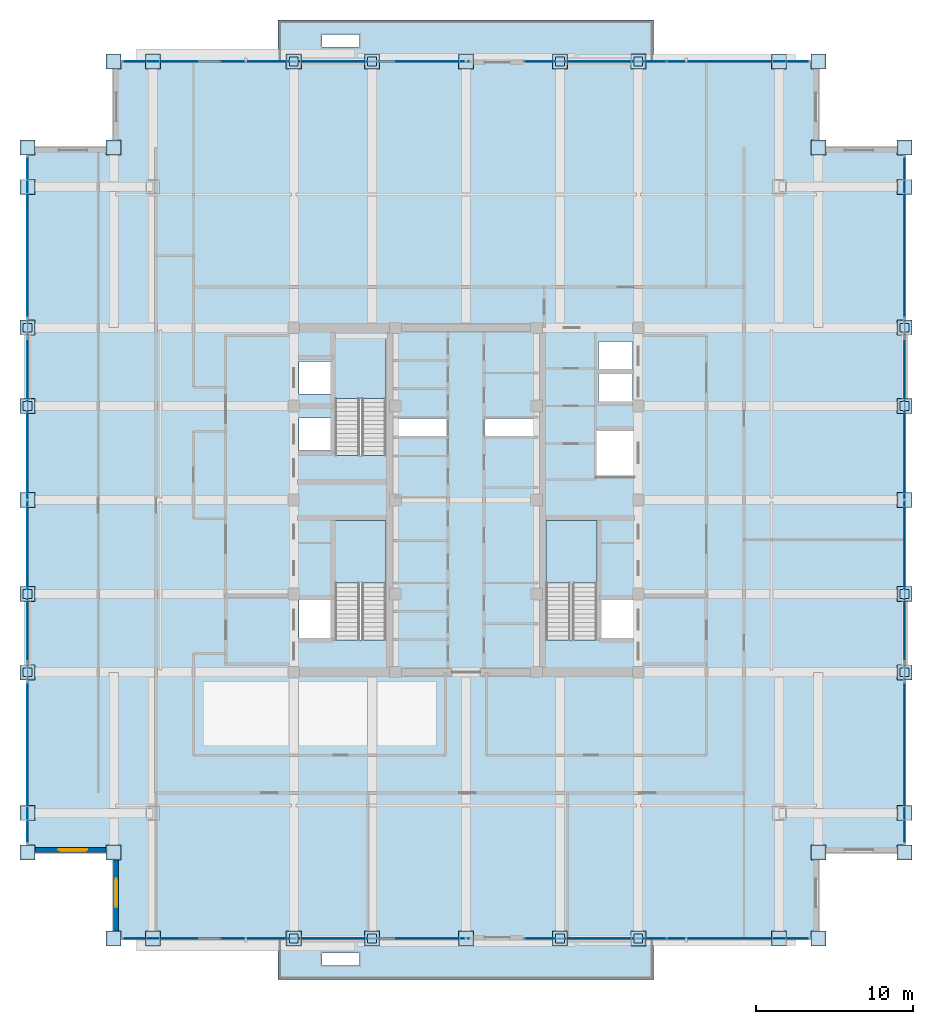
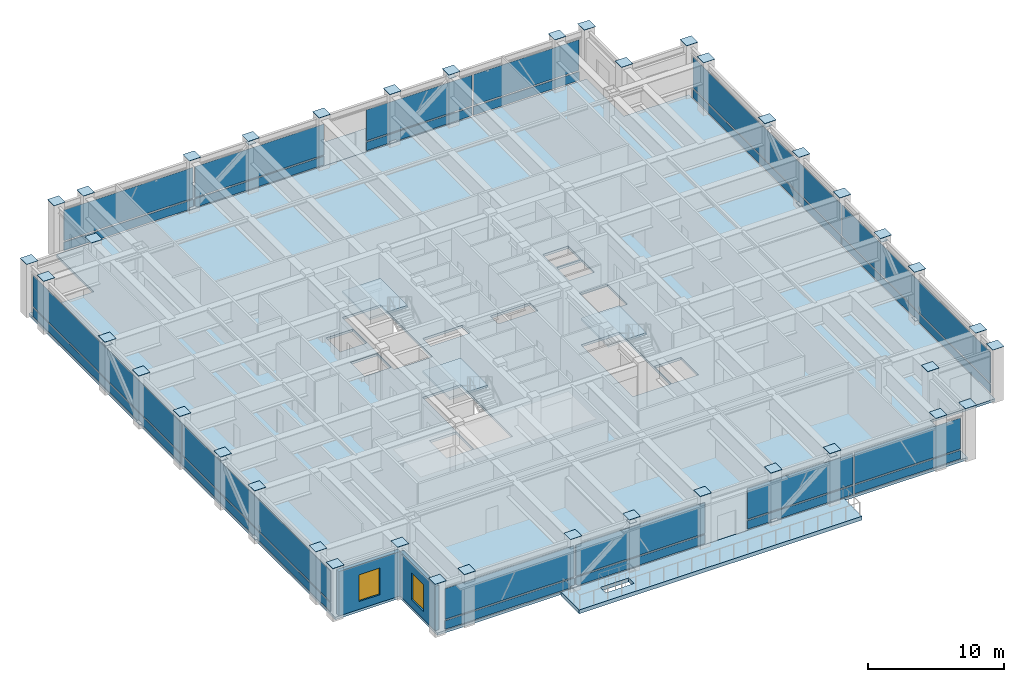
# One storey, part 21 of 31: 80 plates, 6 slabs, 2 walls, 2 windows, 2 openings, 9 elements without a shape of their own.
"""IFC4 building model written with IfcOpenShell, lengths in metres."""

from ifc_helpers import new_model, si_unit, direction, frame, frame_2d, origin, origin_2d, place, context, subcontext, project, spatial, polyline, rectangle, outline, extrude, source, transform, mapped, material, layer, layer_set, type_object, element, fill, aggregate, save


model = new_model("IFC4")

# Units and contexts
model_context = context("Model", 3, precision=1e-05, world=origin(), true_north=direction((0.0, 1.0)))
body_context = subcontext(model_context, "Body", "Model", "MODEL_VIEW")
ifc_project = project(units=[si_unit("LENGTHUNIT", "METRE"), si_unit("AREAUNIT", "SQUARE_METRE"), si_unit("VOLUMEUNIT", "CUBIC_METRE"), si_unit("PLANEANGLEUNIT", "RADIAN"), si_unit("MASSUNIT", "GRAM", prefix="KILO")], contexts=[model_context])

# Site, building, storey
site_placement = place(None, origin())
site = spatial("IfcSite", under=ifc_project, at=site_placement, CompositionType="ELEMENT")
building_placement = place(site_placement, origin())
building = spatial("IfcBuilding", under=site, at=building_placement, Name="Khorayat Bourse Tower", CompositionType="ELEMENT")
storey_placement = place(building_placement, frame((0.0, 0.0, 321.5)))
storey = spatial("IfcBuildingStorey", under=building, at=storey_placement, Name="L76", CompositionType="ELEMENT", Elevation=321.5)

# Stair, slab
ifc_material_1 = material(Name="Concrete C40/50", Category="concrete")
stair_type = type_object("IfcStairType", Name="STR-CORE-1550", PredefinedType="HALF_TURN_STAIR", material=ifc_material_1)
stair_1_placement = place(storey_placement, origin())
stair_1 = element("IfcStair", 1, at=stair_1_placement, inside=storey, type_object=stair_type, Name="L76 Exit Stair ST-1", PredefinedType="HALF_TURN_STAIR")
ifc_layer_1 = layer(ifc_material_1, 0.199951171875)
ifc_layer_set_1 = layer_set([ifc_layer_1], Name="Concrete C40/50")
slab_type_1 = type_object("IfcSlabType", Name="SLB-LANDING-200", PredefinedType="LANDING", material=ifc_layer_set_1)
slab_1_placement = place(storey_placement, frame((0.0, 0.0, 2.199951171875)))
slab_1 = element("IfcSlab", 2, at=slab_1_placement, type_object=slab_type_1, Name="ST-1 landing 1", PredefinedType="LANDING", context=body_context, shape_type="SweptSolid", body=[
    extrude(outline(polyline([(-5.10009765625, -5.31005859375), (-5.10009765625, -1.300048828125), (-8.35009765625, -1.300048828125), (-8.35009765625, -5.31005859375), (-5.10009765625, -5.31005859375)])), origin(), (0.0, 0.0, 1.0), 0.199951171875),
])
aggregate(stair_1, [slab_1])

stair_2_placement = place(storey_placement, origin())
stair_2 = element("IfcStair", 3, at=stair_2_placement, inside=storey, type_object=stair_type, Name="L76 Exit Stair ST-2", PredefinedType="HALF_TURN_STAIR")
slab_2_placement = place(storey_placement, frame((0.0, 0.0, 2.199951171875)))
slab_2 = element("IfcSlab", 4, at=slab_2_placement, type_object=slab_type_1, Name="ST-2 landing 1", PredefinedType="LANDING", context=body_context, shape_type="SweptSolid", body=[
    extrude(outline(polyline([(-5.10009765625, 6.489990234375), (-5.10009765625, 10.5), (-8.35009765625, 10.5), (-8.35009765625, 6.489990234375), (-5.10009765625, 6.489990234375)])), origin(), (0.0, 0.0, 1.0), 0.199951171875),
])
aggregate(stair_2, [slab_2])

stair_3_placement = place(storey_placement, origin())
stair_3 = element("IfcStair", 5, at=stair_3_placement, inside=storey, type_object=stair_type, Name="L76 Exit Stair ST-3", PredefinedType="HALF_TURN_STAIR")
slab_3_placement = place(storey_placement, frame((0.0, 0.0, 2.199951171875)))
slab_3 = element("IfcSlab", 6, at=slab_3_placement, type_object=slab_type_1, Name="ST-3 landing 1", PredefinedType="LANDING", context=body_context, shape_type="SweptSolid", body=[
    extrude(outline(polyline([(8.35009765625, -5.31005859375), (8.35009765625, -1.300048828125), (5.10009765625, -1.300048828125), (5.10009765625, -5.31005859375), (8.35009765625, -5.31005859375)])), origin(), (0.0, 0.0, 1.0), 0.199951171875),
])
aggregate(stair_3, [slab_3])

# Slabs
ifc_layer_2 = layer(ifc_material_1, 0.219970703125)
ifc_layer_set_2 = layer_set([ifc_layer_2], Name="Concrete C40/50")
slab_type_2 = type_object("IfcSlabType", Name="SLB-OFFICE-220", PredefinedType="FLOOR", material=ifc_layer_set_2)
slab_4_placement = place(storey_placement, frame((0.0, 0.0, -0.219970703125)))
element("IfcSlab", 7, at=slab_4_placement, inside=storey, type_object=slab_type_2, Name="L76 Main Floor Slab", PredefinedType="FLOOR", context=body_context, shape_type="SweptSolid", body=[
    extrude(outline(polyline([(-22.5, -28.0), (22.5, -28.0), (22.5, -22.5), (28.0, -22.5), (28.0, 22.5), (22.5, 22.5), (22.5, 28.0), (-22.5, 28.0), (-22.5, 22.5), (-28.0, 22.5), (-28.0, -22.5), (-22.5, -22.5), (-22.5, -28.0)]), holes=[polyline([(-8.35009765625, -8.945068359375), (-5.10009765625, -8.945068359375), (-5.10009765625, -1.300048828125), (-8.35009765625, -1.300048828125), (-8.35009765625, -8.945068359375)]), polyline([(-8.35009765625, 2.85498046875), (-5.10009765625, 2.85498046875), (-5.10009765625, 10.5), (-8.35009765625, 10.5), (-8.35009765625, 2.85498046875)]), polyline([(5.10009765625, -8.945068359375), (8.35009765625, -8.945068359375), (8.35009765625, -1.300048828125), (5.10009765625, -1.300048828125), (5.10009765625, -8.945068359375)]), polyline([(-10.679931640625, 3.169921875), (-8.419921875, 3.169921875), (-8.419921875, 5.22998046875), (-10.679931640625, 5.22998046875), (-10.679931640625, 3.169921875)]), polyline([(-10.679931640625, 6.77001953125), (-8.419921875, 6.77001953125), (-8.419921875, 8.830078125), (-10.679931640625, 8.830078125), (-10.679931640625, 6.77001953125)]), polyline([(8.469970703125, 6.27001953125), (10.6298828125, 6.27001953125), (10.6298828125, 8.1298828125), (8.469970703125, 8.1298828125), (8.469970703125, 6.27001953125)]), polyline([(8.469970703125, 8.27001953125), (10.6298828125, 8.27001953125), (10.6298828125, 10.1298828125), (8.469970703125, 10.1298828125), (8.469970703125, 8.27001953125)]), polyline([(-10.679931640625, -8.929931640625), (-8.419921875, -8.929931640625), (-8.419921875, -6.3701171875), (-10.679931640625, -6.3701171875), (-10.679931640625, -8.929931640625)]), polyline([(8.419921875, -8.929931640625), (10.679931640625, -8.929931640625), (10.679931640625, -6.3701171875), (8.419921875, -6.3701171875), (8.419921875, -8.929931640625)]), polyline([(8.320068359375, 1.52001953125), (10.679931640625, 1.52001953125), (10.679931640625, 4.47998046875), (8.320068359375, 4.47998046875), (8.320068359375, 1.52001953125)]), polyline([(-4.56005859375, 4.080078125), (-1.18994140625, 4.080078125), (-1.18994140625, 5.219970703125), (-4.56005859375, 5.219970703125), (-4.56005859375, 4.080078125)]), polyline([(1.18994140625, 4.080078125), (4.56005859375, 4.080078125), (4.56005859375, 5.219970703125), (1.18994140625, 5.219970703125), (1.18994140625, 4.080078125)])]), origin(), (0.0, 0.0, 1.0), 0.219970703125),
])
ifc_layer_3 = layer(ifc_material_1, 0.340087890625)
ifc_layer_set_3 = layer_set([ifc_layer_3], Name="Concrete C40/50")
slab_type_3 = type_object("IfcSlabType", Name="SLB-SKYGARDEN-340", PredefinedType="FLOOR", material=ifc_layer_set_3)
slab_5_placement = place(storey_placement, frame((0.0, 0.0, -0.340087890625)))
element("IfcSlab", 8, at=slab_5_placement, inside=storey, type_object=slab_type_3, Name="L76 Planted Garden Terrace Slab 01", PredefinedType="FLOOR", context=body_context, shape_type="SweptSolid", body=[
    extrude(outline(polyline([(-12.0, 28.0), (12.0, 28.0), (12.0, 30.64990234375), (-12.0, 30.64990234375), (-12.0, 28.0)]), holes=[polyline([(-9.199951171875, 28.925048828125), (-6.800048828125, 28.925048828125), (-6.800048828125, 29.72509765625), (-9.199951171875, 29.72509765625), (-9.199951171875, 28.925048828125)])]), origin(), (0.0, 0.0, 1.0), 0.340087890625),
])
slab_6_placement = place(storey_placement, frame((0.0, 0.0, -0.340087890625)))
element("IfcSlab", 9, at=slab_6_placement, inside=storey, type_object=slab_type_3, Name="L76 Planted Garden Terrace Slab 02", PredefinedType="FLOOR", context=body_context, shape_type="SweptSolid", body=[
    extrude(outline(polyline([(-12.0, -30.64990234375), (12.0, -30.64990234375), (12.0, -28.0), (-12.0, -28.0), (-12.0, -30.64990234375)]), holes=[polyline([(-9.199951171875, -29.72509765625), (-6.800048828125, -29.72509765625), (-6.800048828125, -28.925048828125), (-9.199951171875, -28.925048828125), (-9.199951171875, -29.72509765625)])]), origin(), (0.0, 0.0, 1.0), 0.340087890625),
])

# Plates
ifc_material_2 = material(Name="Steel EN 10025-2 S355J2", Category="steel")
ifc_layer_4 = layer(ifc_material_2, 0.02490234375)
ifc_layer_set_4 = layer_set([ifc_layer_4], Name="Steel EN 10025-2 S355J2")
plate_type_1 = type_object("IfcPlateType", Name="PLT-ENDCAP-25", PredefinedType="SHEET", material=ifc_layer_set_4)
shared_shape_1 = source(origin(), body_context, "Body", "SweptSolid", [
    extrude(rectangle(XDim=0.56005859375, YDim=0.56005859375, at=origin_2d()), origin(), (0.0, 0.0, 1.0), 0.02490234375),
])
for number, where, z_axis, x_axis, name in (
    (10, (-11.0, -28.0, 0.237548828125), (0.0, 0.0, 1.0), (1.0, 0.0, 0.0), "L76 Perimeter Brace End Plate 001"),
    (11, (-6.0, -28.0, 4.277587890625), (0.0, 0.0, 1.0), (1.0, 0.0, 0.0), "L76 Perimeter Brace End Plate 002"),
    (12, (6.0, -28.0, 0.237548828125), (0.0, 0.0, 1.0), (1.0, 0.0, 0.0), "L76 Perimeter Brace End Plate 003"),
    (13, (11.0, -28.0, 4.277587890625), (0.0, 0.0, 1.0), (1.0, 0.0, 0.0), "L76 Perimeter Brace End Plate 004"),
    (14, (-11.0, 28.0, 0.237548828125), (0.0, 0.0, 1.0), (1.0, 0.0, 0.0), "L76 Perimeter Brace End Plate 005"),
    (15, (-6.0, 28.0, 4.277587890625), (0.0, 0.0, 1.0), (1.0, 0.0, 0.0), "L76 Perimeter Brace End Plate 006"),
    (16, (6.0, 28.0, 0.237548828125), (0.0, 0.0, 1.0), (1.0, 0.0, 0.0), "L76 Perimeter Brace End Plate 007"),
    (17, (11.0, 28.0, 4.277587890625), (0.0, 0.0, 1.0), (1.0, 0.0, 0.0), "L76 Perimeter Brace End Plate 008"),
    (18, (-28.0, -11.0, 0.237548828125), (0.0, 0.0, 1.0), (1.0, 0.0, 0.0), "L76 Perimeter Brace End Plate 009"),
    (19, (-28.0, -6.0, 4.277587890625), (0.0, 0.0, 1.0), (1.0, 0.0, 0.0), "L76 Perimeter Brace End Plate 010"),
    (20, (-28.0, 6.0, 0.237548828125), (0.0, 0.0, 1.0), (1.0, 0.0, 0.0), "L76 Perimeter Brace End Plate 011"),
    (21, (-28.0, 11.0, 4.277587890625), (0.0, 0.0, 1.0), (1.0, 0.0, 0.0), "L76 Perimeter Brace End Plate 012"),
    (22, (28.0, -11.0, 0.237548828125), (0.0, 0.0, 1.0), (1.0, 0.0, 0.0), "L76 Perimeter Brace End Plate 013"),
    (23, (28.0, -6.0, 4.277587890625), (0.0, 0.0, 1.0), (1.0, 0.0, 0.0), "L76 Perimeter Brace End Plate 014"),
    (24, (28.0, 6.0, 0.237548828125), (0.0, 0.0, 1.0), (1.0, 0.0, 0.0), "L76 Perimeter Brace End Plate 015"),
    (25, (28.0, 11.0, 4.277587890625), (0.0, 0.0, 1.0), (1.0, 0.0, 0.0), "L76 Perimeter Brace End Plate 016"),
):
    element("IfcPlate", number, at=place(storey_placement, frame(where, z_axis=z_axis, x_axis=x_axis)), inside=storey, type_object=plate_type_1, Name=name, PredefinedType="SHEET", context=body_context, shape_type="MappedRepresentation", body=[
        mapped(shared_shape_1, transform((0.0, 0.0, 0.0), scale=1.0)),
    ])
shared_shape_2 = source(origin(), body_context, "Body", "SweptSolid", [
    extrude(rectangle(XDim=0.9599609375, YDim=0.9599609375, at=origin_2d()), origin(), (0.0, 0.0, 1.0), 0.02490234375),
])
for number, where, z_axis, x_axis, name in (
    (26, (-28.0, -22.5, 4.800048828125), (0.0, 0.0, 1.0), (1.0, 0.0, 0.0), "L76 Column Top Endcap Plate 001"),
    (27, (-28.0, -20.0, 4.800048828125), (0.0, 0.0, 1.0), (1.0, 0.0, 0.0), "L76 Column Top Endcap Plate 002"),
    (28, (-28.0, -11.0, 4.800048828125), (0.0, 0.0, 1.0), (1.0, 0.0, 0.0), "L76 Column Top Endcap Plate 003"),
    (29, (-28.0, -6.0, 4.800048828125), (0.0, 0.0, 1.0), (1.0, 0.0, 0.0), "L76 Column Top Endcap Plate 004"),
    (30, (-28.0, 0.0, 4.800048828125), (0.0, 0.0, 1.0), (1.0, 0.0, 0.0), "L76 Column Top Endcap Plate 005"),
    (31, (-28.0, 6.0, 4.800048828125), (0.0, 0.0, 1.0), (1.0, 0.0, 0.0), "L76 Column Top Endcap Plate 006"),
    (32, (-28.0, 11.0, 4.800048828125), (0.0, 0.0, 1.0), (1.0, 0.0, 0.0), "L76 Column Top Endcap Plate 007"),
    (33, (-28.0, 20.0, 4.800048828125), (0.0, 0.0, 1.0), (1.0, 0.0, 0.0), "L76 Column Top Endcap Plate 008"),
    (34, (-28.0, 22.5, 4.800048828125), (0.0, 0.0, 1.0), (1.0, 0.0, 0.0), "L76 Column Top Endcap Plate 009"),
    (35, (-22.5, -28.0, 4.800048828125), (0.0, 0.0, 1.0), (1.0, 0.0, 0.0), "L76 Column Top Endcap Plate 010"),
    (36, (-22.5, -22.5, 4.800048828125), (0.0, 0.0, 1.0), (1.0, 0.0, 0.0), "L76 Column Top Endcap Plate 011"),
    (37, (-22.5, 22.5, 4.800048828125), (0.0, 0.0, 1.0), (1.0, 0.0, 0.0), "L76 Column Top Endcap Plate 012"),
    (38, (-22.5, 28.0, 4.800048828125), (0.0, 0.0, 1.0), (1.0, 0.0, 0.0), "L76 Column Top Endcap Plate 013"),
    (39, (-20.0, -28.0, 4.800048828125), (0.0, 0.0, 1.0), (1.0, 0.0, 0.0), "L76 Column Top Endcap Plate 014"),
    (40, (-20.0, 28.0, 4.800048828125), (0.0, 0.0, 1.0), (1.0, 0.0, 0.0), "L76 Column Top Endcap Plate 017"),
    (41, (-11.0, -28.0, 4.800048828125), (0.0, 0.0, 1.0), (1.0, 0.0, 0.0), "L76 Column Top Endcap Plate 018"),
    (42, (-11.0, 28.0, 4.800048828125), (0.0, 0.0, 1.0), (1.0, 0.0, 0.0), "L76 Column Top Endcap Plate 024"),
    (43, (-6.0, -28.0, 4.800048828125), (0.0, 0.0, 1.0), (1.0, 0.0, 0.0), "L76 Column Top Endcap Plate 025"),
    (44, (-6.0, 28.0, 4.800048828125), (0.0, 0.0, 1.0), (1.0, 0.0, 0.0), "L76 Column Top Endcap Plate 026"),
    (45, (0.0, -28.0, 4.800048828125), (0.0, 0.0, 1.0), (1.0, 0.0, 0.0), "L76 Column Top Endcap Plate 032"),
    (46, (0.0, 28.0, 4.800048828125), (0.0, 0.0, 1.0), (1.0, 0.0, 0.0), "L76 Column Top Endcap Plate 033"),
    (47, (6.0, -28.0, 4.800048828125), (0.0, 0.0, 1.0), (1.0, 0.0, 0.0), "L76 Column Top Endcap Plate 039"),
    (48, (6.0, 28.0, 4.800048828125), (0.0, 0.0, 1.0), (1.0, 0.0, 0.0), "L76 Column Top Endcap Plate 040"),
    (49, (11.0, -28.0, 4.800048828125), (0.0, 0.0, 1.0), (1.0, 0.0, 0.0), "L76 Column Top Endcap Plate 041"),
    (50, (11.0, 28.0, 4.800048828125), (0.0, 0.0, 1.0), (1.0, 0.0, 0.0), "L76 Column Top Endcap Plate 047"),
    (51, (20.0, -28.0, 4.800048828125), (0.0, 0.0, 1.0), (1.0, 0.0, 0.0), "L76 Column Top Endcap Plate 048"),
    (52, (20.0, 28.0, 4.800048828125), (0.0, 0.0, 1.0), (1.0, 0.0, 0.0), "L76 Column Top Endcap Plate 051"),
    (53, (22.5, -28.0, 4.800048828125), (0.0, 0.0, 1.0), (1.0, 0.0, 0.0), "L76 Column Top Endcap Plate 052"),
    (54, (22.5, -22.5, 4.800048828125), (0.0, 0.0, 1.0), (1.0, 0.0, 0.0), "L76 Column Top Endcap Plate 053"),
    (55, (22.5, 22.5, 4.800048828125), (0.0, 0.0, 1.0), (1.0, 0.0, 0.0), "L76 Column Top Endcap Plate 054"),
    (56, (22.5, 28.0, 4.800048828125), (0.0, 0.0, 1.0), (1.0, 0.0, 0.0), "L76 Column Top Endcap Plate 055"),
    (57, (28.0, -22.5, 4.800048828125), (0.0, 0.0, 1.0), (1.0, 0.0, 0.0), "L76 Column Top Endcap Plate 056"),
    (58, (28.0, -20.0, 4.800048828125), (0.0, 0.0, 1.0), (1.0, 0.0, 0.0), "L76 Column Top Endcap Plate 057"),
    (59, (28.0, -11.0, 4.800048828125), (0.0, 0.0, 1.0), (1.0, 0.0, 0.0), "L76 Column Top Endcap Plate 058"),
    (60, (28.0, -6.0, 4.800048828125), (0.0, 0.0, 1.0), (1.0, 0.0, 0.0), "L76 Column Top Endcap Plate 059"),
    (61, (28.0, 0.0, 4.800048828125), (0.0, 0.0, 1.0), (1.0, 0.0, 0.0), "L76 Column Top Endcap Plate 060"),
    (62, (28.0, 6.0, 4.800048828125), (0.0, 0.0, 1.0), (1.0, 0.0, 0.0), "L76 Column Top Endcap Plate 061"),
    (63, (28.0, 11.0, 4.800048828125), (0.0, 0.0, 1.0), (1.0, 0.0, 0.0), "L76 Column Top Endcap Plate 062"),
    (64, (28.0, 20.0, 4.800048828125), (0.0, 0.0, 1.0), (1.0, 0.0, 0.0), "L76 Column Top Endcap Plate 063"),
    (65, (28.0, 22.5, 4.800048828125), (0.0, 0.0, 1.0), (1.0, 0.0, 0.0), "L76 Column Top Endcap Plate 064"),
):
    element("IfcPlate", number, at=place(storey_placement, frame(where, z_axis=z_axis, x_axis=x_axis)), inside=storey, type_object=plate_type_1, Name=name, PredefinedType="SHEET", context=body_context, shape_type="MappedRepresentation", body=[
        mapped(shared_shape_2, transform((0.0, 0.0, 0.0), scale=1.0)),
    ])

# Curtain wall, plates
ifc_material_3 = material(Name="Aluminium EN AW-6063 T6", Category="aluminium")
curtain_wall_type = type_object("IfcCurtainWallType", Name="CW-SYS-05", PredefinedType="NOTDEFINED", material=ifc_material_3)
curtain_wall_1_placement = place(storey_placement, origin())
curtain_wall_1 = element("IfcCurtainWall", 66, at=curtain_wall_1_placement, inside=storey, type_object=curtain_wall_type, Name="L76 Curtain Wall CW-L76-S1", PredefinedType="NOTDEFINED")
ifc_material_4 = material(Name="Honed desert limestone insulated spandrel", Category="masonry")
ifc_layer_5 = layer(ifc_material_4, 0.06494140625)
ifc_layer_set_5 = layer_set([ifc_layer_5], Name="Honed desert limestone insulated spandrel")
plate_type_2 = type_object("IfcPlateType", Name="CWP-SPAND-03", PredefinedType="CURTAIN_PANEL", material=ifc_layer_set_5)
shared_shape_3 = source(origin(), body_context, "Body", "SweptSolid", [
    extrude(rectangle(XDim=10.965087890625, YDim=0.06494140625, at=origin_2d()), origin(), (0.0, 0.0, 1.0), 0.77001953125),
])
plate_1_placement = place(storey_placement, frame((-16.37744140625, -28.0, 0.119873046875), z_axis=(0.0, 0.0, 1.0), x_axis=(1.0, 0.0, 0.0)))
plate_1 = element("IfcPlate", 67, at=plate_1_placement, type_object=plate_type_2, Name="CW-L76-S1 Spandrel Panel 1-1", PredefinedType="CURTAIN_PANEL", context=body_context, shape_type="MappedRepresentation", body=[
    mapped(shared_shape_3, transform((0.0, 0.0, 0.0), scale=1.0)),
])
plate_2_placement = place(storey_placement, frame((-5.2724609375, -28.0, 0.119873046875), z_axis=(0.0, 0.0, 1.0), x_axis=(1.0, 0.0, 0.0)))
plate_2 = element("IfcPlate", 68, at=plate_2_placement, type_object=plate_type_2, Name="CW-L76-S1 Spandrel Panel 2-1", PredefinedType="CURTAIN_PANEL", context=body_context, shape_type="MappedRepresentation", body=[
    mapped(shared_shape_3, transform((0.0, 0.0, 0.0), scale=1.0)),
])

curtain_wall_2_placement = place(storey_placement, origin())
curtain_wall_2 = element("IfcCurtainWall", 69, at=curtain_wall_2_placement, inside=storey, type_object=curtain_wall_type, Name="L76 Curtain Wall CW-L76-N1", PredefinedType="NOTDEFINED")
plate_3_placement = place(storey_placement, frame((-16.37744140625, 28.0, 0.119873046875), z_axis=(0.0, 0.0, 1.0), x_axis=(1.0, 0.0, 0.0)))
plate_3 = element("IfcPlate", 70, at=plate_3_placement, type_object=plate_type_2, Name="CW-L76-N1 Spandrel Panel 1-1", PredefinedType="CURTAIN_PANEL", context=body_context, shape_type="MappedRepresentation", body=[
    mapped(shared_shape_3, transform((0.0, 0.0, 0.0), scale=1.0)),
])
plate_4_placement = place(storey_placement, frame((-5.2724609375, 28.0, 0.119873046875), z_axis=(0.0, 0.0, 1.0), x_axis=(1.0, 0.0, 0.0)))
plate_4 = element("IfcPlate", 71, at=plate_4_placement, type_object=plate_type_2, Name="CW-L76-N1 Spandrel Panel 2-1", PredefinedType="CURTAIN_PANEL", context=body_context, shape_type="MappedRepresentation", body=[
    mapped(shared_shape_3, transform((0.0, 0.0, 0.0), scale=1.0)),
])

# Plate
ifc_material_5 = material(Name="Low-E solar-control laminated double glazing", Category="glass")
ifc_layer_6 = layer(ifc_material_5, 0.035888671875)
ifc_layer_set_6 = layer_set([ifc_layer_6], Name="Low-E solar-control laminated double glazing")
plate_type_3 = type_object("IfcPlateType", Name="CWP-VIS-01", PredefinedType="CURTAIN_PANEL", material=ifc_layer_set_6)
shared_shape_4 = source(origin(), body_context, "Body", "SweptSolid", [
    extrude(rectangle(XDim=10.965087890625, YDim=0.035888671875, at=origin_2d()), origin(), (0.0, 0.0, 1.0), 2.760009765625),
])
plate_5_placement = place(storey_placement, frame((-16.37744140625, -28.0, 1.009765625), z_axis=(0.0, 0.0, 1.0), x_axis=(1.0, 0.0, 0.0)))
plate_5 = element("IfcPlate", 72, at=plate_5_placement, type_object=plate_type_3, Name="CW-L76-S1 Vision Panel 1-2", PredefinedType="CURTAIN_PANEL", context=body_context, shape_type="MappedRepresentation", body=[
    mapped(shared_shape_4, transform((0.0, 0.0, 0.0), scale=1.0)),
])

plate_6_placement = place(storey_placement, frame((-5.2724609375, -28.0, 1.009765625), z_axis=(0.0, 0.0, 1.0), x_axis=(1.0, 0.0, 0.0)))
plate_6 = element("IfcPlate", 73, at=plate_6_placement, type_object=plate_type_3, Name="CW-L76-S1 Vision Panel 2-2", PredefinedType="CURTAIN_PANEL", context=body_context, shape_type="MappedRepresentation", body=[
    mapped(shared_shape_4, transform((0.0, 0.0, 0.0), scale=1.0)),
])

aggregate(curtain_wall_1, [plate_1, plate_5, plate_2, plate_6])

plate_7_placement = place(storey_placement, frame((-16.37744140625, 28.0, 1.009765625), z_axis=(0.0, 0.0, 1.0), x_axis=(1.0, 0.0, 0.0)))
plate_7 = element("IfcPlate", 74, at=plate_7_placement, type_object=plate_type_3, Name="CW-L76-N1 Vision Panel 1-2", PredefinedType="CURTAIN_PANEL", context=body_context, shape_type="MappedRepresentation", body=[
    mapped(shared_shape_4, transform((0.0, 0.0, 0.0), scale=1.0)),
])

plate_8_placement = place(storey_placement, frame((-5.2724609375, 28.0, 1.009765625), z_axis=(0.0, 0.0, 1.0), x_axis=(1.0, 0.0, 0.0)))
plate_8 = element("IfcPlate", 75, at=plate_8_placement, type_object=plate_type_3, Name="CW-L76-N1 Vision Panel 2-2", PredefinedType="CURTAIN_PANEL", context=body_context, shape_type="MappedRepresentation", body=[
    mapped(shared_shape_4, transform((0.0, 0.0, 0.0), scale=1.0)),
])

aggregate(curtain_wall_2, [plate_3, plate_7, plate_4, plate_8])

# Curtain wall, plates
curtain_wall_3_placement = place(storey_placement, origin())
curtain_wall_3 = element("IfcCurtainWall", 76, at=curtain_wall_3_placement, inside=storey, type_object=curtain_wall_type, Name="L76 Curtain Wall CW-L76-S2", PredefinedType="NOTDEFINED")
shared_shape_5 = source(origin(), body_context, "Body", "SweptSolid", [
    extrude(rectangle(XDim=8.965087890625, YDim=0.06494140625, at=origin_2d()), origin(), (0.0, 0.0, 1.0), 0.77001953125),
])
plate_9_placement = place(storey_placement, frame((8.2724609375, -28.0, 0.119873046875), z_axis=(0.0, 0.0, 1.0), x_axis=(1.0, 0.0, 0.0)))
plate_9 = element("IfcPlate", 77, at=plate_9_placement, type_object=plate_type_2, Name="CW-L76-S2 Spandrel Panel 1-1", PredefinedType="CURTAIN_PANEL", context=body_context, shape_type="MappedRepresentation", body=[
    mapped(shared_shape_5, transform((0.0, 0.0, 0.0), scale=1.0)),
])
plate_10_placement = place(storey_placement, frame((17.37744140625, -28.0, 0.119873046875), z_axis=(0.0, 0.0, 1.0), x_axis=(1.0, 0.0, 0.0)))
plate_10 = element("IfcPlate", 78, at=plate_10_placement, type_object=plate_type_2, Name="CW-L76-S2 Spandrel Panel 2-1", PredefinedType="CURTAIN_PANEL", context=body_context, shape_type="MappedRepresentation", body=[
    mapped(shared_shape_5, transform((0.0, 0.0, 0.0), scale=1.0)),
])

curtain_wall_4_placement = place(storey_placement, origin())
curtain_wall_4 = element("IfcCurtainWall", 79, at=curtain_wall_4_placement, inside=storey, type_object=curtain_wall_type, Name="L76 Curtain Wall CW-L76-N2", PredefinedType="NOTDEFINED")
plate_11_placement = place(storey_placement, frame((8.2724609375, 28.0, 0.119873046875), z_axis=(0.0, 0.0, 1.0), x_axis=(1.0, 0.0, 0.0)))
plate_11 = element("IfcPlate", 80, at=plate_11_placement, type_object=plate_type_2, Name="CW-L76-N2 Spandrel Panel 1-1", PredefinedType="CURTAIN_PANEL", context=body_context, shape_type="MappedRepresentation", body=[
    mapped(shared_shape_5, transform((0.0, 0.0, 0.0), scale=1.0)),
])
plate_12_placement = place(storey_placement, frame((17.37744140625, 28.0, 0.119873046875), z_axis=(0.0, 0.0, 1.0), x_axis=(1.0, 0.0, 0.0)))
plate_12 = element("IfcPlate", 81, at=plate_12_placement, type_object=plate_type_2, Name="CW-L76-N2 Spandrel Panel 2-1", PredefinedType="CURTAIN_PANEL", context=body_context, shape_type="MappedRepresentation", body=[
    mapped(shared_shape_5, transform((0.0, 0.0, 0.0), scale=1.0)),
])

# Plate
shared_shape_6 = source(origin(), body_context, "Body", "SweptSolid", [
    extrude(rectangle(XDim=8.965087890625, YDim=0.035888671875, at=origin_2d()), origin(), (0.0, 0.0, 1.0), 2.760009765625),
])
plate_13_placement = place(storey_placement, frame((8.2724609375, -28.0, 1.009765625), z_axis=(0.0, 0.0, 1.0), x_axis=(1.0, 0.0, 0.0)))
plate_13 = element("IfcPlate", 82, at=plate_13_placement, type_object=plate_type_3, Name="CW-L76-S2 Vision Panel 1-2", PredefinedType="CURTAIN_PANEL", context=body_context, shape_type="MappedRepresentation", body=[
    mapped(shared_shape_6, transform((0.0, 0.0, 0.0), scale=1.0)),
])

plate_14_placement = place(storey_placement, frame((17.37744140625, -28.0, 1.009765625), z_axis=(0.0, 0.0, 1.0), x_axis=(1.0, 0.0, 0.0)))
plate_14 = element("IfcPlate", 83, at=plate_14_placement, type_object=plate_type_3, Name="CW-L76-S2 Vision Panel 2-2", PredefinedType="CURTAIN_PANEL", context=body_context, shape_type="MappedRepresentation", body=[
    mapped(shared_shape_6, transform((0.0, 0.0, 0.0), scale=1.0)),
])

aggregate(curtain_wall_3, [plate_9, plate_13, plate_10, plate_14])

plate_15_placement = place(storey_placement, frame((8.2724609375, 28.0, 1.009765625), z_axis=(0.0, 0.0, 1.0), x_axis=(1.0, 0.0, 0.0)))
plate_15 = element("IfcPlate", 84, at=plate_15_placement, type_object=plate_type_3, Name="CW-L76-N2 Vision Panel 1-2", PredefinedType="CURTAIN_PANEL", context=body_context, shape_type="MappedRepresentation", body=[
    mapped(shared_shape_6, transform((0.0, 0.0, 0.0), scale=1.0)),
])

plate_16_placement = place(storey_placement, frame((17.37744140625, 28.0, 1.009765625), z_axis=(0.0, 0.0, 1.0), x_axis=(1.0, 0.0, 0.0)))
plate_16 = element("IfcPlate", 85, at=plate_16_placement, type_object=plate_type_3, Name="CW-L76-N2 Vision Panel 2-2", PredefinedType="CURTAIN_PANEL", context=body_context, shape_type="MappedRepresentation", body=[
    mapped(shared_shape_6, transform((0.0, 0.0, 0.0), scale=1.0)),
])

aggregate(curtain_wall_4, [plate_11, plate_15, plate_12, plate_16])

# Curtain wall, plates
curtain_wall_5_placement = place(storey_placement, origin())
curtain_wall_5 = element("IfcCurtainWall", 86, at=curtain_wall_5_placement, inside=storey, type_object=curtain_wall_type, Name="L76 Curtain Wall CW-L76-W1", PredefinedType="NOTDEFINED")
shared_shape_7 = source(origin(), body_context, "Body", "SweptSolid", [
    extrude(rectangle(XDim=21.7900390625, YDim=0.06494140625, at=origin_2d()), origin(), (0.0, 0.0, 1.0), 0.77001953125),
])
plate_17_placement = place(storey_placement, frame((-28.0, -10.965087890625, 0.119873046875), z_axis=(0.0, 0.0, 1.0), x_axis=(0.0, 1.0, 0.0)))
plate_17 = element("IfcPlate", 87, at=plate_17_placement, type_object=plate_type_2, Name="CW-L76-W1 Spandrel Panel 1-1", PredefinedType="CURTAIN_PANEL", context=body_context, shape_type="MappedRepresentation", body=[
    mapped(shared_shape_7, transform((0.0, 0.0, 0.0), scale=1.0)),
])
plate_18_placement = place(storey_placement, frame((-28.0, 10.965087890625, 0.119873046875), z_axis=(0.0, 0.0, 1.0), x_axis=(0.0, 1.0, 0.0)))
plate_18 = element("IfcPlate", 88, at=plate_18_placement, type_object=plate_type_2, Name="CW-L76-W1 Spandrel Panel 2-1", PredefinedType="CURTAIN_PANEL", context=body_context, shape_type="MappedRepresentation", body=[
    mapped(shared_shape_7, transform((0.0, 0.0, 0.0), scale=1.0)),
])

curtain_wall_6_placement = place(storey_placement, origin())
curtain_wall_6 = element("IfcCurtainWall", 89, at=curtain_wall_6_placement, inside=storey, type_object=curtain_wall_type, Name="L76 Curtain Wall CW-L76-E1", PredefinedType="NOTDEFINED")
plate_19_placement = place(storey_placement, frame((28.0, -10.965087890625, 0.119873046875), z_axis=(0.0, 0.0, 1.0), x_axis=(0.0, 1.0, 0.0)))
plate_19 = element("IfcPlate", 90, at=plate_19_placement, type_object=plate_type_2, Name="CW-L76-E1 Spandrel Panel 1-1", PredefinedType="CURTAIN_PANEL", context=body_context, shape_type="MappedRepresentation", body=[
    mapped(shared_shape_7, transform((0.0, 0.0, 0.0), scale=1.0)),
])
plate_20_placement = place(storey_placement, frame((28.0, 10.965087890625, 0.119873046875), z_axis=(0.0, 0.0, 1.0), x_axis=(0.0, 1.0, 0.0)))
plate_20 = element("IfcPlate", 91, at=plate_20_placement, type_object=plate_type_2, Name="CW-L76-E1 Spandrel Panel 2-1", PredefinedType="CURTAIN_PANEL", context=body_context, shape_type="MappedRepresentation", body=[
    mapped(shared_shape_7, transform((0.0, 0.0, 0.0), scale=1.0)),
])

# Plate
shared_shape_8 = source(origin(), body_context, "Body", "SweptSolid", [
    extrude(rectangle(XDim=21.7900390625, YDim=0.035888671875, at=origin_2d()), origin(), (0.0, 0.0, 1.0), 2.760009765625),
])
plate_21_placement = place(storey_placement, frame((-28.0, -10.965087890625, 1.009765625), z_axis=(0.0, 0.0, 1.0), x_axis=(0.0, 1.0, 0.0)))
plate_21 = element("IfcPlate", 92, at=plate_21_placement, type_object=plate_type_3, Name="CW-L76-W1 Vision Panel 1-2", PredefinedType="CURTAIN_PANEL", context=body_context, shape_type="MappedRepresentation", body=[
    mapped(shared_shape_8, transform((0.0, 0.0, 0.0), scale=1.0)),
])

plate_22_placement = place(storey_placement, frame((-28.0, 10.965087890625, 1.009765625), z_axis=(0.0, 0.0, 1.0), x_axis=(0.0, 1.0, 0.0)))
plate_22 = element("IfcPlate", 93, at=plate_22_placement, type_object=plate_type_3, Name="CW-L76-W1 Vision Panel 2-2", PredefinedType="CURTAIN_PANEL", context=body_context, shape_type="MappedRepresentation", body=[
    mapped(shared_shape_8, transform((0.0, 0.0, 0.0), scale=1.0)),
])

aggregate(curtain_wall_5, [plate_17, plate_21, plate_18, plate_22])

plate_23_placement = place(storey_placement, frame((28.0, -10.965087890625, 1.009765625), z_axis=(0.0, 0.0, 1.0), x_axis=(0.0, 1.0, 0.0)))
plate_23 = element("IfcPlate", 94, at=plate_23_placement, type_object=plate_type_3, Name="CW-L76-E1 Vision Panel 1-2", PredefinedType="CURTAIN_PANEL", context=body_context, shape_type="MappedRepresentation", body=[
    mapped(shared_shape_8, transform((0.0, 0.0, 0.0), scale=1.0)),
])

plate_24_placement = place(storey_placement, frame((28.0, 10.965087890625, 1.009765625), z_axis=(0.0, 0.0, 1.0), x_axis=(0.0, 1.0, 0.0)))
plate_24 = element("IfcPlate", 95, at=plate_24_placement, type_object=plate_type_3, Name="CW-L76-E1 Vision Panel 2-2", PredefinedType="CURTAIN_PANEL", context=body_context, shape_type="MappedRepresentation", body=[
    mapped(shared_shape_8, transform((0.0, 0.0, 0.0), scale=1.0)),
])

aggregate(curtain_wall_6, [plate_19, plate_23, plate_20, plate_24])

# Wall, opening, window
ifc_material_6 = material(Name="Precast concrete C45/55", Category="concrete")
ifc_layer_7 = layer(ifc_material_6, 0.320068359375)
ifc_layer_set_7 = layer_set([ifc_layer_7], Name="Precast concrete C45/55")
wall_type = type_object("IfcWallType", Name="WAL-EXT-STONE-320", PredefinedType="STANDARD", material=ifc_layer_set_7)
shared_shape_9 = source(origin(), body_context, "Body", "SweptSolid", [
    extrude(rectangle(XDim=5.179931640625, YDim=0.320068359375, at=frame_2d((2.58984375, 0.0))), origin(), (0.0, 0.0, 1.0), 3.990966796875),
])
wall_1_placement = place(storey_placement, frame((-22.5, -22.340087890625, 0.0), z_axis=(0.0, 0.0, 1.0), x_axis=(-1.0, 0.0, 0.0)))
wall_1 = element("IfcWall", 96, at=wall_1_placement, inside=storey, type_object=wall_type, Name="L76 Re-Entrant Notch Limestone Wall SW-H", PredefinedType="STANDARD", context=body_context, shape_type="MappedRepresentation", body=[
    mapped(shared_shape_9, transform((0.0, 0.0, 0.0), scale=1.0)),
])
shared_shape_10 = source(origin(), body_context, "Body", "SweptSolid", [
    extrude(rectangle(XDim=1.800048828125, YDim=2.39990234375, at=frame_2d((0.89990234375, 1.199951171875))), frame((0.0, 0.169921875, 0.0), z_axis=(0.0, -1.0, 0.0), x_axis=(1.0, 0.0, 0.0)), (0.0, 0.0, 1.0), 0.340087890625),
])
opening_1_placement = place(wall_1_placement, frame((1.68994140625, 0.0, 0.699951171875)))
opening_1 = element("IfcOpeningElement", 97, at=opening_1_placement, cuts=wall_1, Name="Opening WN-04", PredefinedType="OPENING", context=body_context, shape_type="MappedRepresentation", body=[
    mapped(shared_shape_10, transform((0.0, 0.0, 0.0), scale=1.0)),
])
ifc_material_7 = material(Name="Low-E acoustic laminated double glazing", Category="glass")
window_type = type_object("IfcWindowType", Name="WIN-NOTCH-1800x2400", PartitioningType="SINGLE_PANEL", PredefinedType="WINDOW", material=ifc_material_7)
shared_shape_11 = source(origin(), body_context, "Body", "SweptSolid", [
    extrude(rectangle(XDim=1.800048828125, YDim=2.39990234375, at=frame_2d((0.89990234375, 1.199951171875))), frame((0.0, 0.030029296875, 0.0), z_axis=(0.0, -1.0, 0.0), x_axis=(1.0, 0.0, 0.0)), (0.0, 0.0, 1.0), 0.06005859375),
])
window_1_placement = place(opening_1_placement, origin())
window_1 = element("IfcWindow", 98, at=window_1_placement, inside=storey, type_object=window_type, Name="L76 Facade Window 1", OverallHeight=2.39990234375, OverallWidth=1.800048828125, PartitioningType="SINGLE_PANEL", PredefinedType="WINDOW", context=body_context, shape_type="MappedRepresentation", body=[
    mapped(shared_shape_11, transform((0.0, 0.0, 0.0), scale=1.0)),
])
fill(opening_1, window_1)

wall_2_placement = place(storey_placement, frame((-22.340087890625, -27.679931640625, 0.0), z_axis=(0.0, 0.0, 1.0), x_axis=(0.0, 1.0, 0.0)))
wall_2 = element("IfcWall", 99, at=wall_2_placement, inside=storey, type_object=wall_type, Name="L76 Re-Entrant Notch Limestone Wall SW-V", PredefinedType="STANDARD", context=body_context, shape_type="MappedRepresentation", body=[
    mapped(shared_shape_9, transform((0.0, 0.0, 0.0), scale=1.0)),
])
opening_2_placement = place(wall_2_placement, frame((1.68994140625, 0.0, 0.699951171875)))
opening_2 = element("IfcOpeningElement", 100, at=opening_2_placement, cuts=wall_2, Name="Opening WN-04", PredefinedType="OPENING", context=body_context, shape_type="MappedRepresentation", body=[
    mapped(shared_shape_10, transform((0.0, 0.0, 0.0), scale=1.0)),
])
window_2_placement = place(opening_2_placement, origin())
window_2 = element("IfcWindow", 101, at=window_2_placement, inside=storey, type_object=window_type, Name="L76 Facade Window 1", OverallHeight=2.39990234375, OverallWidth=1.800048828125, PartitioningType="SINGLE_PANEL", PredefinedType="WINDOW", context=body_context, shape_type="MappedRepresentation", body=[
    mapped(shared_shape_11, transform((0.0, 0.0, 0.0), scale=1.0)),
])
fill(opening_2, window_2)

save(model, "model.ifc")
